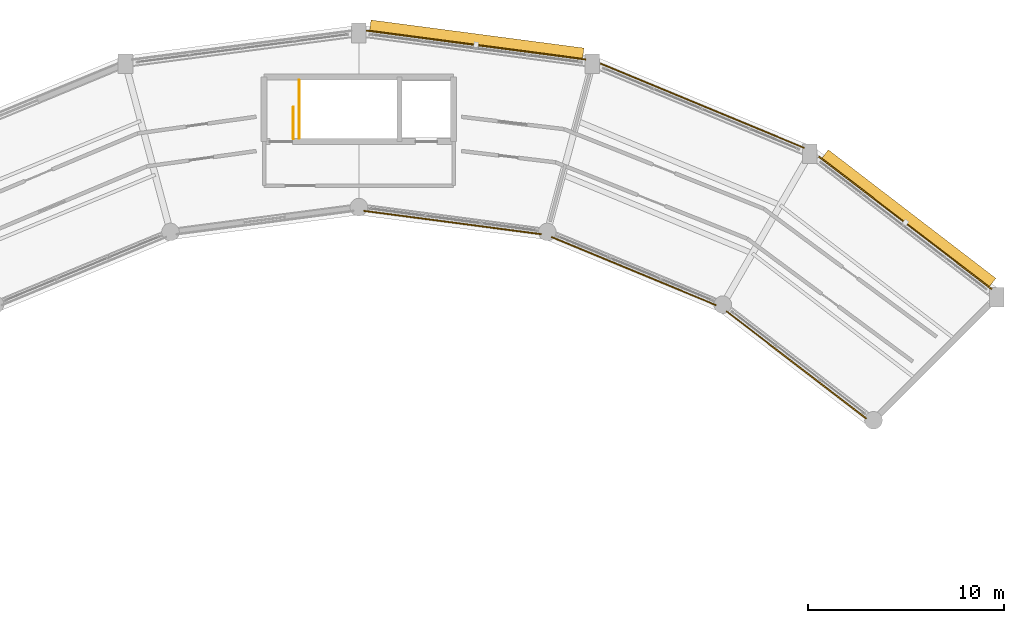
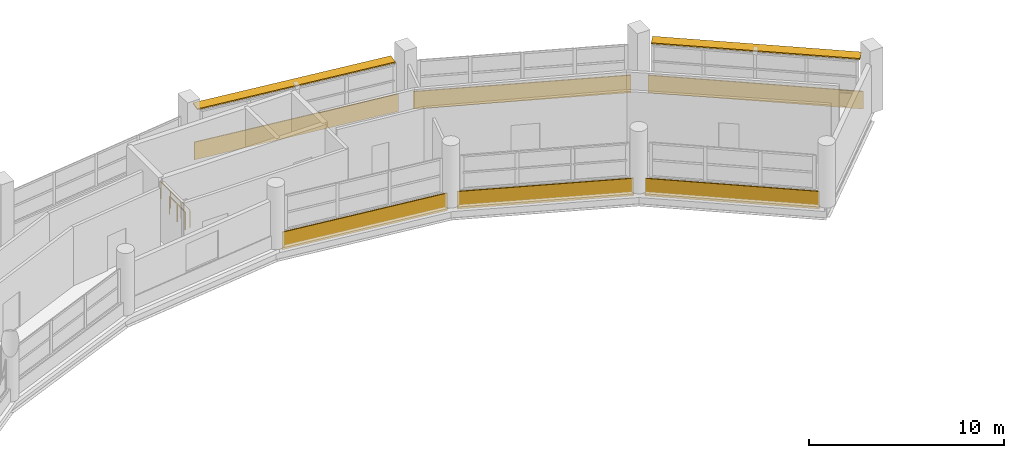
# One storey, part 53 of 53: 6 coverings, 2 railings, 2 shading devices.
"""IFC4 building model written with IfcOpenShell, lengths in metres."""

from ifc_helpers import new_model, si_unit, direction, frame, frame_2d, origin, origin_2d, place, context, subcontext, project, spatial, rectangle, circle, extrude, material, layer, layer_set, type_object, element, save


model = new_model("IFC4")

# Units and contexts
model_context = context("Model", 3, precision=1e-05, world=origin(), true_north=direction((0.0, 1.0)))
body_context = subcontext(model_context, "Body", "Model", "MODEL_VIEW")
ifc_project = project(units=[si_unit("LENGTHUNIT", "METRE"), si_unit("AREAUNIT", "SQUARE_METRE"), si_unit("VOLUMEUNIT", "CUBIC_METRE"), si_unit("PLANEANGLEUNIT", "RADIAN"), si_unit("MASSUNIT", "GRAM", prefix="KILO")], contexts=[model_context])

# Site, building, storey
site_placement = place(None, origin())
site = spatial("IfcSite", under=ifc_project, at=site_placement, CompositionType="ELEMENT")
building_placement = place(site_placement, origin())
building = spatial("IfcBuilding", under=site, at=building_placement, Name="Vespera Passage Community Centre", CompositionType="ELEMENT")
storey_placement = place(building_placement, frame((0.0, 0.0, 20.39990234375)))
storey = spatial("IfcBuildingStorey", under=building, at=storey_placement, Name="L05", CompositionType="ELEMENT", Elevation=20.39990234375)

# Coverings
ifc_material_1 = material(Name="Precast concrete f'c 40 MPa", Category="concrete")
ifc_layer = layer(ifc_material_1, 0.06005859375)
ifc_layer_set = layer_set([ifc_layer], Name="Precast concrete f'c 40 MPa")
covering_type = type_object("IfcCoveringType", Name="COV-CLAD-60E", PredefinedType="CLADDING", material=ifc_layer_set)
covering_1_placement = place(storey_placement, frame((101.5087890625, 105.2861328125, -0.27978515625), z_axis=(0.0, 0.0, 1.0), x_axis=(0.793342066679, -0.608776120785, 0.0)))
element("IfcCovering", 1, at=covering_1_placement, inside=storey, type_object=covering_type, Name="V4 L05 Outer White Spandrel Band O3", PredefinedType="CLADDING", context=body_context, shape_type="SweptSolid", body=[
    extrude(rectangle(XDim=11.13916015625, YDim=0.06005859375, at=frame_2d((5.569580078125, 0.0))), origin(), (0.0, 0.0, 1.0), 1.099853515625),
])
covering_2_placement = place(storey_placement, frame((103.9296875, 91.896484375, -0.27978515625), z_axis=(0.0, 0.0, 1.0), x_axis=(-0.793350132061, 0.608765610033, 0.0)))
element("IfcCovering", 2, at=covering_2_placement, inside=storey, type_object=covering_type, Name="V4 L05 Inner Court White Spandrel Band I3", PredefinedType="CLADDING", context=body_context, shape_type="SweptSolid", body=[
    extrude(rectangle(XDim=9.004638671875, YDim=0.06005859375, at=frame_2d((4.50244140625, 0.0))), origin(), (0.0, 0.0, 1.0), 1.099853515625),
])
covering_3_placement = place(storey_placement, frame((90.3486328125, 110.04052734375, -0.27978515625), z_axis=(0.0, 0.0, 1.0), x_axis=(0.923883530636, -0.382673779896, 0.0)))
element("IfcCovering", 3, at=covering_3_placement, inside=storey, type_object=covering_type, Name="V4 L05 Outer White Spandrel Band O4", PredefinedType="CLADDING", context=body_context, shape_type="SweptSolid", body=[
    extrude(rectangle(XDim=11.2724609375, YDim=0.06005859375, at=frame_2d((5.63623046875, 0.0))), origin(), (0.0, 0.0, 1.0), 1.099853515625),
])
covering_4_placement = place(storey_placement, frame((96.263916015625, 97.6875, -0.27978515625), z_axis=(0.0, 0.0, 1.0), x_axis=(-0.92387477551, 0.38269491658, 0.0)))
element("IfcCovering", 4, at=covering_4_placement, inside=storey, type_object=covering_type, Name="V4 L05 Inner Court White Spandrel Band I4", PredefinedType="CLADDING", context=body_context, shape_type="SweptSolid", body=[
    extrude(rectangle(XDim=9.11181640625, YDim=0.06005859375, at=frame_2d((4.555908203125, 0.0))), origin(), (0.0, 0.0, 1.0), 1.099853515625),
])
covering_5_placement = place(storey_placement, frame((78.372314453125, 111.722412109375, -0.27978515625), z_axis=(0.0, 0.0, 1.0), x_axis=(0.991446004399, -0.130517509785, 0.0)))
element("IfcCovering", 5, at=covering_5_placement, inside=storey, type_object=covering_type, Name="V4 L05 Outer White Spandrel Band O5", PredefinedType="CLADDING", context=body_context, shape_type="SweptSolid", body=[
    extrude(rectangle(XDim=11.328125, YDim=0.06005859375, at=frame_2d((5.6640625, 0.0))), origin(), (0.0, 0.0, 1.0), 1.099853515625),
])
covering_6_placement = place(storey_placement, frame((87.332763671875, 101.31494140625, -0.27978515625), z_axis=(0.0, 0.0, 1.0), x_axis=(-0.99144567161, 0.13052003772, 0.0)))
element("IfcCovering", 6, at=covering_6_placement, inside=storey, type_object=covering_type, Name="V4 L05 Inner Court White Spandrel Band I5", PredefinedType="CLADDING", context=body_context, shape_type="SweptSolid", body=[
    extrude(rectangle(XDim=9.15625, YDim=0.06005859375, at=frame_2d((4.578125, 0.0))), origin(), (0.0, 0.0, 1.0), 1.099853515625),
])

# Railings
ifc_material_2 = material(Name="Steel ASTM A500 Grade C", Category="steel")
railing_type = type_object("IfcRailingType", Name="RL-STAIR-1100I", PredefinedType="GUARDRAIL", material=ifc_material_2)
railing_1_placement = place(storey_placement, frame((74.655029296875, 106.199951171875, 0.0)))
element("IfcRailing", 7, at=railing_1_placement, inside=storey, type_object=railing_type, Name="L05 ST06 top well guard 1", PredefinedType="GUARDRAIL", context=body_context, shape_type="SweptSolid", body=[
    extrude(circle(Radius=0.02392578125, at=origin_2d()), frame((0.0, 0.0, 1.09619140625), z_axis=(0.0, 1.0, 0.0), x_axis=(-1.0, 0.0, 0.0)), (0.0, 0.0, 1.0), 1.60009765625),
    extrude(circle(Radius=0.02099609375, at=origin_2d()), origin(), (0.0, 0.0, 1.0), 1.072021484375),
    extrude(circle(Radius=0.02099609375, at=origin_2d()), frame((0.0, 0.800048828125, 0.0)), (0.0, 0.0, 1.0), 1.072021484375),
    extrude(circle(Radius=0.02099609375, at=origin_2d()), frame((0.0, 1.60009765625, 0.0)), (0.0, 0.0, 1.0), 1.072021484375),
])
railing_2_placement = place(storey_placement, frame((74.945068359375, 106.219970703125, 0.0)))
element("IfcRailing", 8, at=railing_2_placement, inside=storey, type_object=railing_type, Name="Core C4 L05 Stair Well Guard", PredefinedType="GUARDRAIL", context=body_context, shape_type="SweptSolid", body=[
    extrude(circle(Radius=0.02392578125, at=origin_2d()), frame((0.0, 0.0, 1.09619140625), z_axis=(0.0, 1.0, 0.0), x_axis=(-1.0, 0.0, 0.0)), (0.0, 0.0, 1.0), 2.9599609375),
    extrude(circle(Radius=0.02099609375, at=origin_2d()), origin(), (0.0, 0.0, 1.0), 1.072021484375),
    extrude(circle(Radius=0.02099609375, at=origin_2d()), frame((0.0, 0.986572265625, 0.0)), (0.0, 0.0, 1.0), 1.072021484375),
    extrude(circle(Radius=0.02099609375, at=origin_2d()), frame((0.0, 1.973388671875, 0.0)), (0.0, 0.0, 1.0), 1.072021484375),
    extrude(circle(Radius=0.02099609375, at=origin_2d()), frame((0.0, 2.9599609375, 0.0)), (0.0, 0.0, 1.0), 1.072021484375),
])

# Shading devices
ifc_material_3 = material(Name="Anodized aluminium 6063-T6", Category="aluminium")
shading_device_type = type_object("IfcShadingDeviceType", Name="SHD-EYEBROW", PredefinedType="JALOUSIE", material=ifc_material_3)
shading_device_1_placement = place(storey_placement, frame((106.091796875, 102.10986328125, 2.785888671875), z_axis=(0.0, 0.0, 1.0), x_axis=(0.793342715279, -0.608775275544, 0.0)))
element("IfcShadingDevice", 9, at=shading_device_1_placement, inside=storey, type_object=shading_device_type, Name="V4 L05 Outer Solar Eyebrow 3", PredefinedType="JALOUSIE", context=body_context, shape_type="SweptSolid", body=[
    extrude(rectangle(XDim=10.789306640625, YDim=0.60009765625, at=origin_2d()), origin(), (0.0, 0.0, 1.0), 0.080078125),
])
shading_device_2_placement = place(storey_placement, frame((84.023193359375, 111.250732421875, 2.785888671875), z_axis=(0.0, 0.0, 1.0), x_axis=(0.991444861374, -0.13052619222, 0.0)))
element("IfcShadingDevice", 10, at=shading_device_2_placement, inside=storey, type_object=shading_device_type, Name="V4 L05 Outer Solar Eyebrow 5", PredefinedType="JALOUSIE", context=body_context, shape_type="SweptSolid", body=[
    extrude(rectangle(XDim=10.97802734375, YDim=0.60009765625, at=origin_2d()), origin(), (0.0, 0.0, 1.0), 0.080078125),
])

save(model, "model.ifc")
